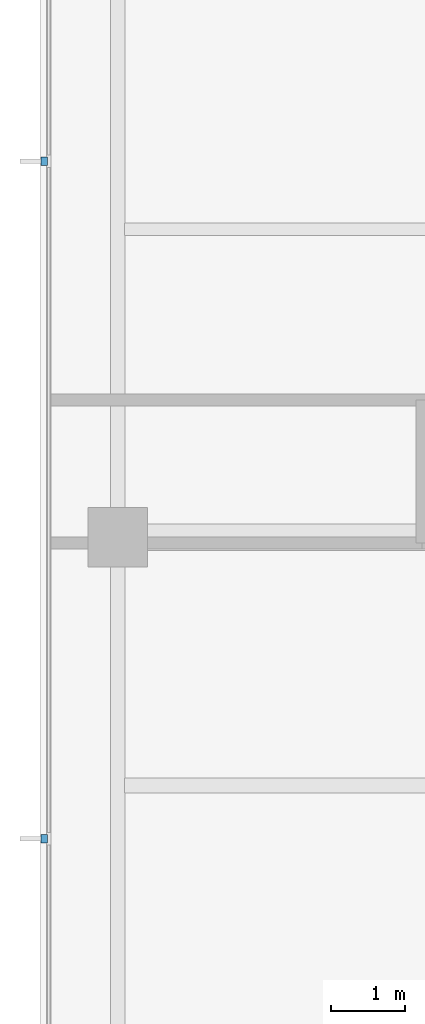
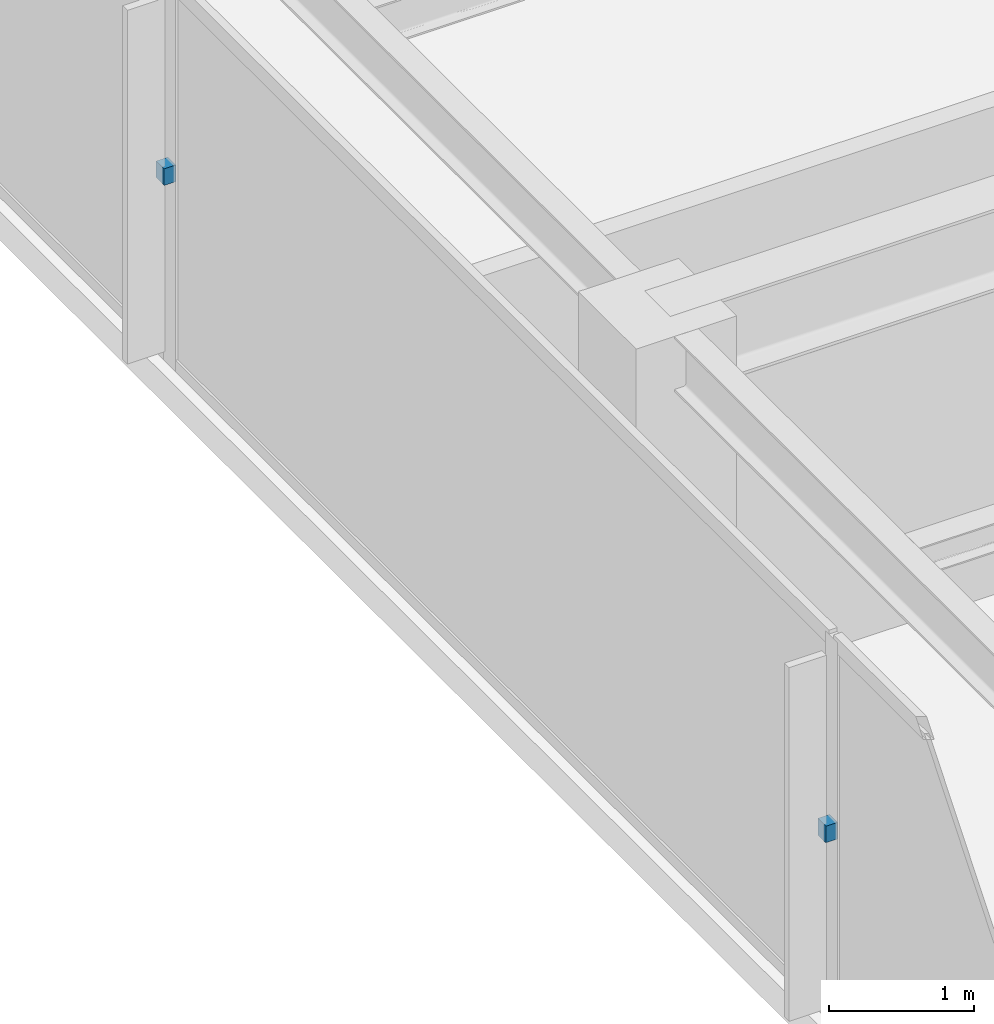
# One storey, part 9 of 11: 2 discrete accessories.
"""IFC4 building model written with IfcOpenShell, lengths in metres."""

from ifc_helpers import new_model, si_unit, direction, frame, origin, place, context, subcontext, project, spatial, polyline, outline, extrude, material, type_object, element, save


model = new_model("IFC4")

# Units and contexts
model_context = context("Model", 3, precision=1e-05, world=origin(), true_north=direction((0.0, 1.0)))
body_context = subcontext(model_context, "Body", "Model", "MODEL_VIEW")
ifc_project = project(units=[si_unit("LENGTHUNIT", "METRE"), si_unit("AREAUNIT", "SQUARE_METRE"), si_unit("VOLUMEUNIT", "CUBIC_METRE"), si_unit("PLANEANGLEUNIT", "RADIAN"), si_unit("MASSUNIT", "GRAM", prefix="KILO")], contexts=[model_context])

# Site, building, storey
site_placement = place(None, origin())
site = spatial("IfcSite", under=ifc_project, at=site_placement, CompositionType="ELEMENT")
building_placement = place(site_placement, origin())
building = spatial("IfcBuilding", under=site, at=building_placement, Name="Qalmaran Belvedere Hotel", CompositionType="ELEMENT")
storey_placement = place(building_placement, frame((0.0, 0.0, 238.89990234375)))
storey = spatial("IfcBuildingStorey", under=building, at=storey_placement, Name="L61", CompositionType="ELEMENT", Elevation=238.89990234375)

# Discrete accessories
ifc_material = material(Name="Stainless Steel 1.4401", Category="steel")
discrete_accessory_type = type_object("IfcDiscreteAccessoryType", Name="BRK-FIN-SS316", PredefinedType="BRACKET", material=ifc_material)
discrete_accessory_1_placement = place(storey_placement, frame((0.0, 0.0, 1.580078125)))
element("IfcDiscreteAccessory", 1, at=discrete_accessory_1_placement, inside=storey, type_object=discrete_accessory_type, Name="L61 Fin Bracket 1", PredefinedType="BRACKET", context=body_context, shape_type="SweptSolid", body=[
    extrude(outline(polyline([(11.455078125, 25.62158203125), (11.362548828125, 25.62158203125), (11.362548828125, 25.51171875), (11.455078125, 25.51171875), (11.455078125, 25.62158203125)])), origin(), (0.0, 0.0, 1.0), 0.14013671875),
])
discrete_accessory_2_placement = place(storey_placement, frame((0.0, 0.0, 1.580078125)))
element("IfcDiscreteAccessory", 2, at=discrete_accessory_2_placement, inside=storey, type_object=discrete_accessory_type, Name="L61 Fin Bracket 2", PredefinedType="BRACKET", context=body_context, shape_type="SweptSolid", body=[
    extrude(outline(polyline([(11.455078125, 16.48828125), (11.362548828125, 16.48828125), (11.362548828125, 16.37841796875), (11.455078125, 16.37841796875), (11.455078125, 16.48828125)])), origin(), (0.0, 0.0, 1.0), 0.14013671875),
])

save(model, "model.ifc")
